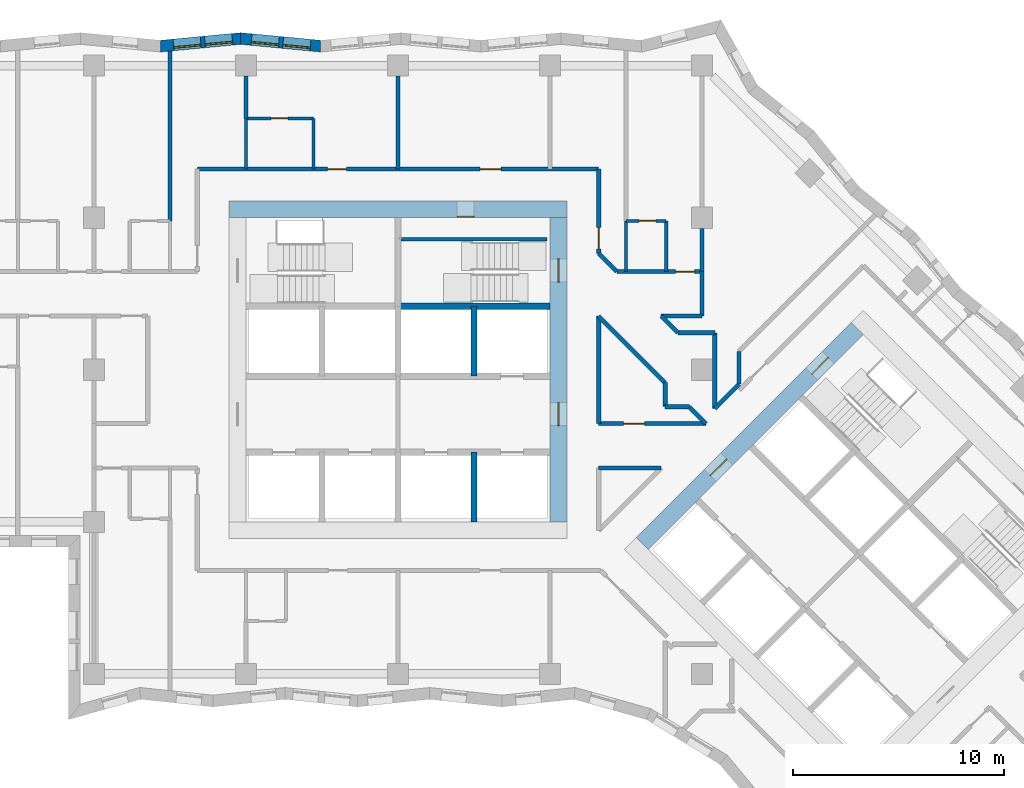
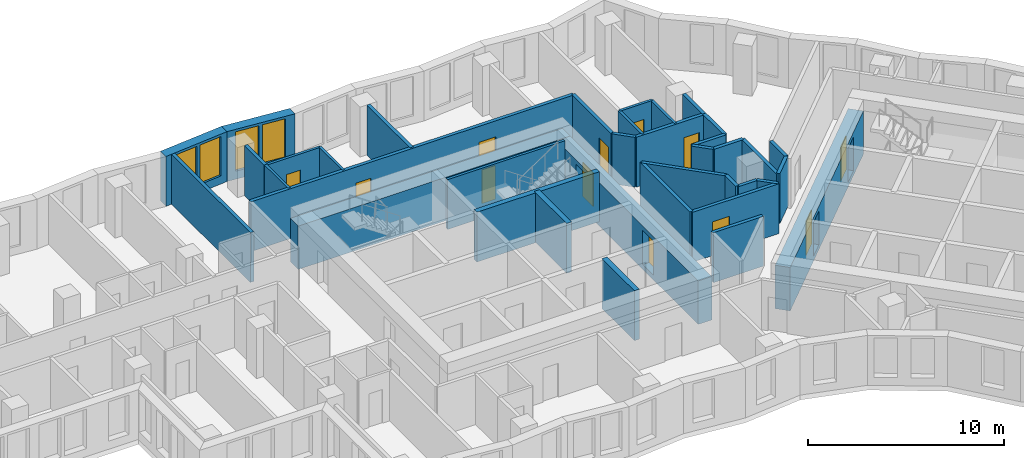
# One storey, part 6 of 12: 37 walls, 12 doors, 4 windows, 16 openings.
"""IFC4 building model written with IfcOpenShell, lengths in metres."""

from ifc_helpers import new_model, si_unit, direction, frame, frame_2d, origin, place, context, subcontext, project, spatial, polyline, rectangle, outline, extrude, material, layer, layer_set, type_object, element, fill, save


model = new_model("IFC4")

# Units and contexts
model_context = context("Model", 3, precision=1e-05, world=origin(), true_north=direction((0.0, 1.0)))
body_context = subcontext(model_context, "Body", "Model", "MODEL_VIEW")
ifc_project = project(units=[si_unit("LENGTHUNIT", "METRE"), si_unit("AREAUNIT", "SQUARE_METRE"), si_unit("VOLUMEUNIT", "CUBIC_METRE"), si_unit("PLANEANGLEUNIT", "RADIAN"), si_unit("MASSUNIT", "GRAM", prefix="KILO")], contexts=[model_context])

# Site, building, storey
site_placement = place(None, origin())
site = spatial("IfcSite", under=ifc_project, at=site_placement, CompositionType="ELEMENT")
building_placement = place(site_placement, origin())
building = spatial("IfcBuilding", under=site, at=building_placement, Name="Windrow Commons", CompositionType="ELEMENT")
storey_placement = place(building_placement, frame((0.0, 0.0, 88.0)))
storey = spatial("IfcBuildingStorey", under=building, at=storey_placement, Name="L23", CompositionType="ELEMENT", Elevation=88.0)

# Wall, openings, windows
ifc_material_1 = material(Name="Brick masonry, red clay brick", Category="masonry")
ifc_layer_1 = layer(ifc_material_1, 0.55)
ifc_layer_set_1 = layer_set([ifc_layer_1], Name="Brick facade wall 550")
wall_type_1 = type_object("IfcWallType", Name="Brick facade wall 550", PredefinedType="SOLIDWALL", material=ifc_layer_set_1)
wall_1_placement = place(storey_placement, frame((61.1401, 72.9238, 0.0), z_axis=(0.0, 0.0, 1.0), x_axis=(-0.9954966527, 0.0947967005, 0.0)))
wall_1 = element("IfcWall", 1, at=wall_1_placement, inside=storey, type_object=wall_type_1, Name="Brick facade wall L23 26", PredefinedType="SOLIDWALL", context=body_context, shape_type="SweptSolid", body=[
    extrude(outline(polyline([(0.0262, -0.275), (3.8343, -0.275), (3.782, 0.275), (-0.0262, 0.275), (0.0262, -0.275)])), origin(), (0.0, 0.0, 1.0), 3.1),
])
opening_1_placement = place(wall_1_placement, frame((0.491, 0.0, 0.5)))
opening_1 = element("IfcOpeningElement", 2, at=opening_1_placement, cuts=wall_1, Name="Opening W1P", PredefinedType="OPENING", context=body_context, shape_type="SweptSolid", body=[
    extrude(rectangle(XDim=1.3, YDim=2.45, at=frame_2d((0.65, 1.225))), frame((0.0, 0.285, 0.0), z_axis=(0.0, -1.0, 0.0), x_axis=(1.0, 0.0, 0.0)), (0.0, 0.0, 1.0), 0.57),
])
opening_2_placement = place(wall_1_placement, frame((1.991, 0.0, 0.5)))
opening_2 = element("IfcOpeningElement", 3, at=opening_2_placement, cuts=wall_1, Name="Opening W1P", PredefinedType="OPENING", context=body_context, shape_type="SweptSolid", body=[
    extrude(rectangle(XDim=1.3, YDim=2.45, at=frame_2d((0.65, 1.225))), frame((0.0, 0.285, 0.0), z_axis=(0.0, -1.0, 0.0), x_axis=(1.0, 0.0, 0.0)), (0.0, 0.0, 1.0), 0.57),
])
ifc_material_2 = material(Name="Clear float glass in anodised aluminium frame", Category="aluminium")
window_type = type_object("IfcWindowType", Name="Window W1P pair 1300x2450", PartitioningType="SINGLE_PANEL", PredefinedType="WINDOW", material=ifc_material_2)
window_1_placement = place(opening_1_placement, origin())
window_1 = element("IfcWindow", 4, at=window_1_placement, inside=storey, type_object=window_type, Name="Window L23 26.1A", OverallHeight=2.45, OverallWidth=1.3, PartitioningType="SINGLE_PANEL", PredefinedType="WINDOW", context=body_context, shape_type="SweptSolid", body=[
    extrude(rectangle(XDim=1.3, YDim=2.45, at=frame_2d((0.65, 1.225))), frame((0.0, 0.155, 0.0), z_axis=(0.0, -1.0, 0.0), x_axis=(1.0, 0.0, 0.0)), (0.0, 0.0, 1.0), 0.06),
])
fill(opening_1, window_1)
window_2_placement = place(opening_2_placement, origin())
window_2 = element("IfcWindow", 5, at=window_2_placement, inside=storey, type_object=window_type, Name="Window L23 26.1B", OverallHeight=2.45, OverallWidth=1.3, PartitioningType="SINGLE_PANEL", PredefinedType="WINDOW", context=body_context, shape_type="SweptSolid", body=[
    extrude(rectangle(XDim=1.3, YDim=2.45, at=frame_2d((0.65, 1.225))), frame((0.0, 0.155, 0.0), z_axis=(0.0, -1.0, 0.0), x_axis=(1.0, 0.0, 0.0)), (0.0, 0.0, 1.0), 0.06),
])
fill(opening_2, window_2)

wall_2_placement = place(storey_placement, frame((57.3491, 73.2848, 0.0), z_axis=(0.0, 0.0, 1.0), x_axis=(-0.9954966527, -0.0947967005, 0.0)))
wall_2 = element("IfcWall", 6, at=wall_2_placement, inside=storey, type_object=wall_type_1, Name="Brick facade wall L23 27", PredefinedType="SOLIDWALL", context=body_context, shape_type="SweptSolid", body=[
    extrude(outline(polyline([(-0.0262, -0.275), (3.782, -0.275), (3.8343, 0.275), (0.0262, 0.275), (-0.0262, -0.275)])), origin(), (0.0, 0.0, 1.0), 3.1),
])
opening_3_placement = place(wall_2_placement, frame((0.3952, 0.0, 0.5)))
opening_3 = element("IfcOpeningElement", 7, at=opening_3_placement, cuts=wall_2, Name="Opening W1P", PredefinedType="OPENING", context=body_context, shape_type="SweptSolid", body=[
    extrude(rectangle(XDim=1.3, YDim=2.45, at=frame_2d((0.65, 1.225))), frame((0.0, 0.285, 0.0), z_axis=(0.0, -1.0, 0.0), x_axis=(1.0, 0.0, 0.0)), (0.0, 0.0, 1.0), 0.57),
])
opening_4_placement = place(wall_2_placement, frame((1.8952, 0.0, 0.5)))
opening_4 = element("IfcOpeningElement", 8, at=opening_4_placement, cuts=wall_2, Name="Opening W1P", PredefinedType="OPENING", context=body_context, shape_type="SweptSolid", body=[
    extrude(rectangle(XDim=1.3, YDim=2.45, at=frame_2d((0.65, 1.225))), frame((0.0, 0.285, 0.0), z_axis=(0.0, -1.0, 0.0), x_axis=(1.0, 0.0, 0.0)), (0.0, 0.0, 1.0), 0.57),
])
window_3_placement = place(opening_3_placement, origin())
window_3 = element("IfcWindow", 9, at=window_3_placement, inside=storey, type_object=window_type, Name="Window L23 27.1A", OverallHeight=2.45, OverallWidth=1.3, PartitioningType="SINGLE_PANEL", PredefinedType="WINDOW", context=body_context, shape_type="SweptSolid", body=[
    extrude(rectangle(XDim=1.3, YDim=2.45, at=frame_2d((0.65, 1.225))), frame((0.0, 0.155, 0.0), z_axis=(0.0, -1.0, 0.0), x_axis=(1.0, 0.0, 0.0)), (0.0, 0.0, 1.0), 0.06),
])
fill(opening_3, window_3)
window_4_placement = place(opening_4_placement, origin())
window_4 = element("IfcWindow", 10, at=window_4_placement, inside=storey, type_object=window_type, Name="Window L23 27.1B", OverallHeight=2.45, OverallWidth=1.3, PartitioningType="SINGLE_PANEL", PredefinedType="WINDOW", context=body_context, shape_type="SweptSolid", body=[
    extrude(rectangle(XDim=1.3, YDim=2.45, at=frame_2d((0.65, 1.225))), frame((0.0, 0.155, 0.0), z_axis=(0.0, -1.0, 0.0), x_axis=(1.0, 0.0, 0.0)), (0.0, 0.0, 1.0), 0.06),
])
fill(opening_4, window_4)

# Wall, openings, doors
ifc_material_3 = material(Name="Blockwork partition", Category="masonry")
ifc_layer_2 = layer(ifc_material_3, 0.2)
ifc_layer_set_2 = layer_set([ifc_layer_2], Name="IW-CORRIDOR-200")
wall_type_2 = type_object("IfcWallType", Name="IW-CORRIDOR-200", PredefinedType="PARTITIONING", material=ifc_layer_set_2)
wall_3_placement = place(storey_placement, frame((55.3, 67.1, 0.0), z_axis=(0.0, 0.0, 1.0), x_axis=(1.0, 0.0, 0.0)))
wall_3 = element("IfcWall", 11, at=wall_3_placement, inside=storey, type_object=wall_type_2, Name="W-L23-W003", PredefinedType="PARTITIONING", context=body_context, shape_type="SweptSolid", body=[
    extrude(rectangle(XDim=19.0, YDim=0.2, at=frame_2d((9.5, 0.0))), origin(), (0.0, 0.0, 1.0), 3.1),
])
opening_5_placement = place(wall_3_placement, frame((6.1607, 0.0, 0.0)))
opening_5 = element("IfcOpeningElement", 12, at=opening_5_placement, cuts=wall_3, Name="Opening D109F", PredefinedType="OPENING", context=body_context, shape_type="SweptSolid", body=[
    extrude(rectangle(XDim=0.9, YDim=2.1, at=frame_2d((0.45, 1.05))), frame((0.0, 0.11, 0.0), z_axis=(0.0, -1.0, 0.0), x_axis=(1.0, 0.0, 0.0)), (0.0, 0.0, 1.0), 0.22),
])
opening_6_placement = place(wall_3_placement, frame((13.3862, 0.0, 0.0)))
opening_6 = element("IfcOpeningElement", 13, at=opening_6_placement, cuts=wall_3, Name="Opening D310F", PredefinedType="OPENING", context=body_context, shape_type="SweptSolid", body=[
    extrude(rectangle(XDim=1.0, YDim=2.1, at=frame_2d((0.5, 1.05))), frame((0.0, 0.11, 0.0), z_axis=(0.0, -1.0, 0.0), x_axis=(1.0, 0.0, 0.0)), (0.0, 0.0, 1.0), 0.22),
])
ifc_material_4 = material(Name="Timber door leaf", Category="wood")
door_type_1 = type_object("IfcDoorType", Name="DT-AMENITY-1000", OperationType="SINGLE_SWING_LEFT", PredefinedType="DOOR", material=ifc_material_4)
door_1_placement = place(opening_6_placement, origin())
door_1 = element("IfcDoor", 14, at=door_1_placement, inside=storey, type_object=door_type_1, Name="D-L23-D008", OperationType="SINGLE_SWING_RIGHT", OverallHeight=2.1, OverallWidth=1.0, PredefinedType="DOOR", context=body_context, shape_type="SweptSolid", body=[
    extrude(rectangle(XDim=1.0, YDim=2.1, at=frame_2d((0.5, 1.05))), frame((0.0, 0.025, 0.0), z_axis=(0.0, -1.0, 0.0), x_axis=(1.0, 0.0, 0.0)), (0.0, 0.0, 1.0), 0.05),
])
fill(opening_6, door_1)
ifc_material_5 = material(Name="Timber door leaf", Category="wood")
door_type_2 = type_object("IfcDoorType", Name="DT-BEDROOM-900", OperationType="SINGLE_SWING_LEFT", PredefinedType="DOOR", material=ifc_material_5)
door_2_placement = place(opening_5_placement, origin())
door_2 = element("IfcDoor", 15, at=door_2_placement, inside=storey, type_object=door_type_2, Name="D-L23-D006", OperationType="SINGLE_SWING_RIGHT", OverallHeight=2.1, OverallWidth=0.9, PredefinedType="DOOR", context=body_context, shape_type="SweptSolid", body=[
    extrude(rectangle(XDim=0.9, YDim=2.1, at=frame_2d((0.45, 1.05))), frame((0.0, 0.025, 0.0), z_axis=(0.0, -1.0, 0.0), x_axis=(1.0, 0.0, 0.0)), (0.0, 0.0, 1.0), 0.05),
])
fill(opening_5, door_2)

# Wall
wall_4_placement = place(storey_placement, frame((74.3, 55.05, 0.0), z_axis=(0.0, 0.0, 1.0), x_axis=(0.0, 1.0, 0.0)))
element("IfcWall", 16, at=wall_4_placement, inside=storey, type_object=wall_type_2, Name="W-L23-W037", PredefinedType="PARTITIONING", context=body_context, shape_type="SweptSolid", body=[
    extrude(rectangle(XDim=5.09, YDim=0.2, at=frame_2d((2.545, 0.0))), origin(), (0.0, 0.0, 1.0), 3.1),
])

# Wall, opening, door
wall_5_placement = place(storey_placement, frame((74.302, 55.05, 0.0), z_axis=(0.0, 0.0, 1.0), x_axis=(1.0, 0.0, 0.0)))
wall_5 = element("IfcWall", 17, at=wall_5_placement, inside=storey, type_object=wall_type_2, Name="W-L23-W038", PredefinedType="PARTITIONING", context=body_context, shape_type="SweptSolid", body=[
    extrude(rectangle(XDim=5.088, YDim=0.2, at=frame_2d((2.544, 0.0))), origin(), (0.0, 0.0, 1.0), 3.1),
])
opening_7_placement = place(wall_5_placement, frame((1.1759, 0.0, 0.0)))
opening_7 = element("IfcOpeningElement", 18, at=opening_7_placement, cuts=wall_5, Name="Opening D310F", PredefinedType="OPENING", context=body_context, shape_type="SweptSolid", body=[
    extrude(rectangle(XDim=1.0, YDim=2.1, at=frame_2d((0.5, 1.05))), frame((0.0, 0.11, 0.0), z_axis=(0.0, -1.0, 0.0), x_axis=(1.0, 0.0, 0.0)), (0.0, 0.0, 1.0), 0.22),
])
door_3_placement = place(opening_7_placement, origin())
door_3 = element("IfcDoor", 19, at=door_3_placement, inside=storey, type_object=door_type_1, Name="D-L23-D030", OperationType="SINGLE_SWING_LEFT", OverallHeight=2.1, OverallWidth=1.0, PredefinedType="DOOR", context=body_context, shape_type="SweptSolid", body=[
    extrude(rectangle(XDim=1.0, YDim=2.1, at=frame_2d((0.5, 1.05))), frame((0.0, 0.025, 0.0), z_axis=(0.0, -1.0, 0.0), x_axis=(1.0, 0.0, 0.0)), (0.0, 0.0, 1.0), 0.05),
])
fill(opening_7, door_3)

# Wall
wall_6_placement = place(storey_placement, frame((74.2986, 60.1366, 0.0), z_axis=(0.0, 0.0, 1.0), x_axis=(0.7071067812, -0.7071067812, 0.0)))
element("IfcWall", 20, at=wall_6_placement, inside=storey, type_object=wall_type_2, Name="W-L23-W044", PredefinedType="PARTITIONING", context=body_context, shape_type="SweptSolid", body=[
    extrude(rectangle(XDim=4.4519, YDim=0.2, at=frame_2d((2.226, 0.0))), origin(), (0.0, 0.0, 1.0), 3.1),
])

# Wall, opening, door
wall_7_placement = place(storey_placement, frame((75.162, 62.25, 0.0), z_axis=(0.0, 0.0, 1.0), x_axis=(1.0, 0.0, 0.0)))
wall_7 = element("IfcWall", 21, at=wall_7_placement, inside=storey, type_object=wall_type_2, Name="W-L23-W053", PredefinedType="PARTITIONING", context=body_context, shape_type="SweptSolid", body=[
    extrude(rectangle(XDim=4.038, YDim=0.2, at=frame_2d((2.019, 0.0))), origin(), (0.0, 0.0, 1.0), 3.1),
])
opening_8_placement = place(wall_7_placement, frame((2.788, 0.0, 0.0)))
opening_8 = element("IfcOpeningElement", 22, at=opening_8_placement, cuts=wall_7, Name="Opening D109S", PredefinedType="OPENING", context=body_context, shape_type="SweptSolid", body=[
    extrude(rectangle(XDim=0.9, YDim=2.1, at=frame_2d((0.45, 1.05))), frame((0.0, 0.11, 0.0), z_axis=(0.0, -1.0, 0.0), x_axis=(1.0, 0.0, 0.0)), (0.0, 0.0, 1.0), 0.22),
])
door_4_placement = place(opening_8_placement, origin())
door_4 = element("IfcDoor", 23, at=door_4_placement, inside=storey, type_object=door_type_2, Name="D-L23-D023", OperationType="SINGLE_SWING_LEFT", OverallHeight=2.1, OverallWidth=0.9, PredefinedType="DOOR", context=body_context, shape_type="SweptSolid", body=[
    extrude(rectangle(XDim=0.9, YDim=2.1, at=frame_2d((0.45, 1.05))), frame((0.0, 0.025, 0.0), z_axis=(0.0, -1.0, 0.0), x_axis=(1.0, 0.0, 0.0)), (0.0, 0.0, 1.0), 0.05),
])
fill(opening_8, door_4)

wall_8_placement = place(storey_placement, frame((74.3, 63.112, 0.0), z_axis=(0.0, 0.0, 1.0), x_axis=(0.0, 1.0, 0.0)))
wall_8 = element("IfcWall", 24, at=wall_8_placement, inside=storey, type_object=wall_type_2, Name="W-L23-W054", PredefinedType="PARTITIONING", context=body_context, shape_type="SweptSolid", body=[
    extrude(rectangle(XDim=3.988, YDim=0.2, at=frame_2d((1.994, 0.0))), origin(), (0.0, 0.0, 1.0), 3.1),
])
opening_9_placement = place(wall_8_placement, frame((0.2174, 0.0, 0.0)))
opening_9 = element("IfcOpeningElement", 25, at=opening_9_placement, cuts=wall_8, Name="Opening D310F", PredefinedType="OPENING", context=body_context, shape_type="SweptSolid", body=[
    extrude(rectangle(XDim=1.0, YDim=2.1, at=frame_2d((0.5, 1.05))), frame((0.0, 0.11, 0.0), z_axis=(0.0, -1.0, 0.0), x_axis=(1.0, 0.0, 0.0)), (0.0, 0.0, 1.0), 0.22),
])
door_5_placement = place(opening_9_placement, origin())
door_5 = element("IfcDoor", 26, at=door_5_placement, inside=storey, type_object=door_type_1, Name="D-L23-D022", OperationType="SINGLE_SWING_RIGHT", OverallHeight=2.1, OverallWidth=1.0, PredefinedType="DOOR", context=body_context, shape_type="SweptSolid", body=[
    extrude(rectangle(XDim=1.0, YDim=2.1, at=frame_2d((0.5, 1.05))), frame((0.0, 0.025, 0.0), z_axis=(0.0, -1.0, 0.0), x_axis=(1.0, 0.0, 0.0)), (0.0, 0.0, 1.0), 0.05),
])
fill(opening_9, door_5)

# Walls
wall_9_placement = place(storey_placement, frame((79.8, 55.774, 0.0), z_axis=(0.0, 0.0, 1.0), x_axis=(0.0, 1.0, 0.0)))
element("IfcWall", 27, at=wall_9_placement, inside=storey, type_object=wall_type_2, Name="W-L23-W059", PredefinedType="PARTITIONING", context=body_context, shape_type="SweptSolid", body=[
    extrude(rectangle(XDim=3.576, YDim=0.2, at=frame_2d((1.788, 0.0))), origin(), (0.0, 0.0, 1.0), 3.1),
])
wall_10_placement = place(storey_placement, frame((74.302, 52.95, 0.0), z_axis=(0.0, 0.0, 1.0), x_axis=(1.0, 0.0, 0.0)))
element("IfcWall", 28, at=wall_10_placement, inside=storey, type_object=wall_type_2, Name="W-L23-W065", PredefinedType="PARTITIONING", context=body_context, shape_type="SweptSolid", body=[
    extrude(rectangle(XDim=2.958, YDim=0.2, at=frame_2d((1.479, 0.0))), origin(), (0.0, 0.0, 1.0), 3.1),
])
wall_11_placement = place(storey_placement, frame((79.2, 60.15, 0.0), z_axis=(0.0, 0.0, 1.0), x_axis=(0.0, 1.0, 0.0)))
element("IfcWall", 29, at=wall_11_placement, inside=storey, type_object=wall_type_2, Name="W-L23-W103", PredefinedType="PARTITIONING", context=body_context, shape_type="SweptSolid", body=[
    extrude(rectangle(XDim=2.1, YDim=0.2, at=frame_2d((1.05, 0.0))), origin(), (0.0, 0.0, 1.0), 3.1),
])
wall_12_placement = place(storey_placement, frame((77.264, 60.15, 0.0), z_axis=(0.0, 0.0, 1.0), x_axis=(1.0, 0.0, 0.0)))
element("IfcWall", 30, at=wall_12_placement, inside=storey, type_object=wall_type_2, Name="W-L23-W122", PredefinedType="PARTITIONING", context=body_context, shape_type="SweptSolid", body=[
    extrude(rectangle(XDim=1.936, YDim=0.2, at=frame_2d((0.968, 0.0))), origin(), (0.0, 0.0, 1.0), 3.1),
])
wall_13_placement = place(storey_placement, frame((78.062, 59.35, 0.0), z_axis=(0.0, 0.0, 1.0), x_axis=(1.0, 0.0, 0.0)))
element("IfcWall", 31, at=wall_13_placement, inside=storey, type_object=wall_type_2, Name="W-L23-W139", PredefinedType="PARTITIONING", context=body_context, shape_type="SweptSolid", body=[
    extrude(rectangle(XDim=1.738, YDim=0.2, at=frame_2d((0.869, 0.0))), origin(), (0.0, 0.0, 1.0), 3.1),
])
wall_14_placement = place(storey_placement, frame((79.8007, 55.7733, 0.0), z_axis=(0.0, 0.0, 1.0), x_axis=(0.7071067812, 0.7071067812, 0.0)))
element("IfcWall", 32, at=wall_14_placement, inside=storey, type_object=wall_type_2, Name="W-L23-W142", PredefinedType="PARTITIONING", context=body_context, shape_type="SweptSolid", body=[
    extrude(rectangle(XDim=1.6235, YDim=0.2, at=frame_2d((0.8117, 0.0))), origin(), (0.0, 0.0, 1.0), 3.1),
])
wall_15_placement = place(storey_placement, frame((74.2965, 63.1085, 0.0), z_axis=(0.0, 0.0, 1.0), x_axis=(0.7071067812, -0.7071067812, 0.0)))
element("IfcWall", 33, at=wall_15_placement, inside=storey, type_object=wall_type_2, Name="W-L23-W148", PredefinedType="PARTITIONING", context=body_context, shape_type="SweptSolid", body=[
    extrude(rectangle(XDim=1.2191, YDim=0.2, at=frame_2d((0.6096, 0.0))), origin(), (0.0, 0.0, 1.0), 3.1),
])
for number, where, z_axis, x_axis, name in (
    (34, (77.452, 55.85, 0.0), (0.0, 0.0, 1.0), (1.0, 0.0, 0.0), "W-L23-W150"),
    (35, (77.45, 55.852, 0.0), (0.0, 0.0, 1.0), (0.0, 1.0, 0.0), "W-L23-W151"),
):
    element("IfcWall", number, at=place(storey_placement, frame(where, z_axis=z_axis, x_axis=x_axis)), inside=storey, type_object=wall_type_2, Name=name, PredefinedType="PARTITIONING", context=body_context, shape_type="SweptSolid", body=[
        extrude(rectangle(XDim=1.14, YDim=0.2, at=frame_2d((0.57, 0.0))), origin(), (0.0, 0.0, 1.0), 3.1),
    ])
for number, where, z_axis, x_axis, name in (
    (36, (77.2605, 60.1445, 0.0), (0.0, 0.0, 1.0), (0.7071067812, -0.7071067812, 0.0), "W-L23-W152"),
    (37, (78.5886, 55.8466, 0.0), (0.0, 0.0, 1.0), (0.7071067812, -0.7071067812, 0.0), "W-L23-W153"),
):
    element("IfcWall", number, at=place(storey_placement, frame(where, z_axis=z_axis, x_axis=x_axis)), inside=storey, type_object=wall_type_2, Name=name, PredefinedType="PARTITIONING", context=body_context, shape_type="SweptSolid", body=[
        extrude(rectangle(XDim=1.1285, YDim=0.2, at=frame_2d((0.5643, 0.0))), origin(), (0.0, 0.0, 1.0), 3.1),
    ])

# Wall, opening, door
ifc_material_6 = material(Name="Blockwork partition", Category="masonry")
ifc_layer_3 = layer(ifc_material_6, 0.15)
ifc_layer_set_3 = layer_set([ifc_layer_3], Name="IW-ENSUITE-150")
wall_type_3 = type_object("IfcWallType", Name="IW-ENSUITE-150", PredefinedType="PARTITIONING", material=ifc_layer_set_3)
wall_16_placement = place(storey_placement, frame((57.6, 69.5, 0.0), z_axis=(0.0, 0.0, 1.0), x_axis=(1.0, 0.0, 0.0)))
wall_16 = element("IfcWall", 38, at=wall_16_placement, inside=storey, type_object=wall_type_3, Name="W-L23-W061", PredefinedType="PARTITIONING", context=body_context, shape_type="SweptSolid", body=[
    extrude(rectangle(XDim=3.2, YDim=0.15, at=frame_2d((1.6, 0.0))), origin(), (0.0, 0.0, 1.0), 3.1),
])
opening_10_placement = place(wall_16_placement, frame((1.1958, 0.0, 0.0)))
opening_10 = element("IfcOpeningElement", 39, at=opening_10_placement, cuts=wall_16, Name="Opening D208N", PredefinedType="OPENING", context=body_context, shape_type="SweptSolid", body=[
    extrude(rectangle(XDim=0.8, YDim=2.1, at=frame_2d((0.4, 1.05))), frame((0.0, 0.085, 0.0), z_axis=(0.0, -1.0, 0.0), x_axis=(1.0, 0.0, 0.0)), (0.0, 0.0, 1.0), 0.17),
])
ifc_material_7 = material(Name="Timber door leaf", Category="wood")
door_type_3 = type_object("IfcDoorType", Name="DT-ENSUITE-800", OperationType="SINGLE_SWING_LEFT", PredefinedType="DOOR", material=ifc_material_7)
door_6_placement = place(opening_10_placement, origin())
door_6 = element("IfcDoor", 40, at=door_6_placement, inside=storey, type_object=door_type_3, Name="D-L23-D007", OperationType="SINGLE_SWING_RIGHT", OverallHeight=2.1, OverallWidth=0.8, PredefinedType="DOOR", context=body_context, shape_type="SweptSolid", body=[
    extrude(rectangle(XDim=0.8, YDim=2.1, at=frame_2d((0.4, 1.05))), frame((0.0, 0.025, 0.0), z_axis=(0.0, -1.0, 0.0), x_axis=(1.0, 0.0, 0.0)), (0.0, 0.0, 1.0), 0.05),
])
fill(opening_10, door_6)

# Walls
for number, where, z_axis, x_axis, name in (
    (41, (57.6, 67.1, 0.0), (0.0, 0.0, 1.0), (0.0, 1.0, 0.0), "W-L23-W083"),
    (42, (60.8, 67.1, 0.0), (0.0, 0.0, 1.0), (0.0, 1.0, 0.0), "W-L23-W084"),
    (43, (75.6, 62.25, 0.0), (0.0, 0.0, 1.0), (0.0, 1.0, 0.0), "W-L23-W085"),
    (44, (77.5, 62.25, 0.0), (0.0, 0.0, 1.0), (0.0, 1.0, 0.0), "W-L23-W086"),
):
    element("IfcWall", number, at=place(storey_placement, frame(where, z_axis=z_axis, x_axis=x_axis)), inside=storey, type_object=wall_type_3, Name=name, PredefinedType="PARTITIONING", context=body_context, shape_type="SweptSolid", body=[
        extrude(rectangle(XDim=2.4, YDim=0.15, at=frame_2d((1.2, 0.0))), origin(), (0.0, 0.0, 1.0), 3.1),
    ])

# Wall, opening, door
wall_17_placement = place(storey_placement, frame((75.6, 64.65, 0.0), z_axis=(0.0, 0.0, 1.0), x_axis=(1.0, 0.0, 0.0)))
wall_17 = element("IfcWall", 45, at=wall_17_placement, inside=storey, type_object=wall_type_3, Name="W-L23-W125", PredefinedType="PARTITIONING", context=body_context, shape_type="SweptSolid", body=[
    extrude(rectangle(XDim=1.9, YDim=0.15, at=frame_2d((0.95, 0.0))), origin(), (0.0, 0.0, 1.0), 3.1),
])
opening_11_placement = place(wall_17_placement, frame((0.6069, 0.0, 0.0)))
opening_11 = element("IfcOpeningElement", 46, at=opening_11_placement, cuts=wall_17, Name="Opening D208N", PredefinedType="OPENING", context=body_context, shape_type="SweptSolid", body=[
    extrude(rectangle(XDim=0.8, YDim=2.1, at=frame_2d((0.4, 1.05))), frame((0.0, 0.085, 0.0), z_axis=(0.0, -1.0, 0.0), x_axis=(1.0, 0.0, 0.0)), (0.0, 0.0, 1.0), 0.17),
])
door_7_placement = place(opening_11_placement, origin())
door_7 = element("IfcDoor", 47, at=door_7_placement, inside=storey, type_object=door_type_3, Name="D-L23-D024", OperationType="SINGLE_SWING_RIGHT", OverallHeight=2.1, OverallWidth=0.8, PredefinedType="DOOR", context=body_context, shape_type="SweptSolid", body=[
    extrude(rectangle(XDim=0.8, YDim=2.1, at=frame_2d((0.4, 1.05))), frame((0.0, 0.025, 0.0), z_axis=(0.0, -1.0, 0.0), x_axis=(1.0, 0.0, 0.0)), (0.0, 0.0, 1.0), 0.05),
])
fill(opening_11, door_7)

# Walls
ifc_material_8 = material(Name="Blockwork partition", Category="masonry")
ifc_layer_4 = layer(ifc_material_8, 0.2)
ifc_layer_set_4 = layer_set([ifc_layer_4], Name="IW-PARTY-200")
wall_type_4 = type_object("IfcWallType", Name="IW-PARTY-200", PredefinedType="PARTITIONING", material=ifc_layer_set_4)
wall_18_placement = place(storey_placement, frame((54.0, 64.65, 0.0), z_axis=(0.0, 0.0, 1.0), x_axis=(0.0, 1.0, 0.0)))
element("IfcWall", 48, at=wall_18_placement, inside=storey, type_object=wall_type_4, Name="W-L23-W019", PredefinedType="PARTITIONING", context=body_context, shape_type="SweptSolid", body=[
    extrude(rectangle(XDim=8.0396, YDim=0.2, at=frame_2d((4.0198, 0.0))), origin(), (0.0, 0.0, 1.0), 3.1),
])
wall_19_placement = place(storey_placement, frame((64.8, 67.1, 0.0), z_axis=(0.0, 0.0, 1.0), x_axis=(0.0, 1.0, 0.0)))
element("IfcWall", 49, at=wall_19_placement, inside=storey, type_object=wall_type_4, Name="W-L23-W045", PredefinedType="PARTITIONING", context=body_context, shape_type="SweptSolid", body=[
    extrude(rectangle(XDim=4.4, YDim=0.2, at=frame_2d((2.2, 0.0))), origin(), (0.0, 0.0, 1.0), 3.1),
])
wall_20_placement = place(storey_placement, frame((79.2, 62.25, 0.0), z_axis=(0.0, 0.0, 1.0), x_axis=(0.0, 1.0, 0.0)))
element("IfcWall", 50, at=wall_20_placement, inside=storey, type_object=wall_type_4, Name="W-L23-W116", PredefinedType="PARTITIONING", context=body_context, shape_type="SweptSolid", body=[
    extrude(rectangle(XDim=2.05, YDim=0.2, at=frame_2d((1.025, 0.0))), origin(), (0.0, 0.0, 1.0), 3.1),
])
wall_21_placement = place(storey_placement, frame((57.6, 69.5, 0.0), z_axis=(0.0, 0.0, 1.0), x_axis=(0.0, 1.0, 0.0)))
element("IfcWall", 51, at=wall_21_placement, inside=storey, type_object=wall_type_4, Name="W-L23-W120", PredefinedType="PARTITIONING", context=body_context, shape_type="SweptSolid", body=[
    extrude(rectangle(XDim=2.0, YDim=0.2, at=frame_2d((1.0, 0.0))), origin(), (0.0, 0.0, 1.0), 3.1),
])
wall_22_placement = place(storey_placement, frame((80.95, 56.92, 0.0), z_axis=(0.0, 0.0, 1.0), x_axis=(0.0, 1.0, 0.0)))
element("IfcWall", 52, at=wall_22_placement, inside=storey, type_object=wall_type_4, Name="W-L23-W144", PredefinedType="PARTITIONING", context=body_context, shape_type="SweptSolid", body=[
    extrude(rectangle(XDim=1.556, YDim=0.2, at=frame_2d((0.778, 0.0))), origin(), (0.0, 0.0, 1.0), 3.1),
])

# Wall, opening, door
ifc_material_9 = material(Name="Concrete C50/60", Category="concrete")
ifc_layer_5 = layer(ifc_material_9, 0.8)
ifc_layer_set_5 = layer_set([ifc_layer_5], Name="RC CORE WALL 800 C50/60")
wall_type_5 = type_object("IfcWallType", Name="RC CORE WALL 800 C50/60", PredefinedType="SHEAR", material=ifc_layer_set_5)
wall_23_placement = place(storey_placement, frame((56.8, 65.2, -0.3), z_axis=(0.0, 0.0, 1.0), x_axis=(1.0, 0.0, 0.0)))
wall_23 = element("IfcWall", 53, at=wall_23_placement, inside=storey, type_object=wall_type_5, Name="Core A wall outer-N", PredefinedType="SHEAR", context=body_context, shape_type="SweptSolid", body=[
    extrude(rectangle(XDim=16.0, YDim=0.8, at=frame_2d((8.0, 0.0))), origin(), (0.0, 0.0, 1.0), 2.7),
])
opening_12_placement = place(wall_23_placement, frame((10.8, 0.0, 0.3)))
opening_12 = element("IfcOpeningElement", 54, at=opening_12_placement, cuts=wall_23, Name="Opening D9", PredefinedType="OPENING", context=body_context, shape_type="SweptSolid", body=[
    extrude(rectangle(XDim=0.8, YDim=2.1, at=frame_2d((0.4, 1.05))), frame((0.0, 0.41, 0.0), z_axis=(0.0, -1.0, 0.0), x_axis=(1.0, 0.0, 0.0)), (0.0, 0.0, 1.0), 0.82),
])
ifc_material_10 = material(Name="Steel fire door leaf", Category="steel")
door_type_4 = type_object("IfcDoorType", Name="Riser access door 800", OperationType="SINGLE_SWING_LEFT", PredefinedType="DOOR", material=ifc_material_10)
door_8_placement = place(opening_12_placement, origin())
door_8 = element("IfcDoor", 55, at=door_8_placement, inside=storey, type_object=door_type_4, Name="Riser access door", OperationType="SINGLE_SWING_RIGHT", OverallHeight=2.1, OverallWidth=0.8, PredefinedType="DOOR", context=body_context, shape_type="SweptSolid", body=[
    extrude(rectangle(XDim=0.8, YDim=2.1, at=frame_2d((0.4, 1.05))), frame((0.0, -0.34, 0.0), z_axis=(0.0, -1.0, 0.0), x_axis=(1.0, 0.0, 0.0)), (0.0, 0.0, 1.0), 0.05),
])
fill(opening_12, door_8)

# Wall, openings, doors
wall_24_placement = place(storey_placement, frame((72.4, 50.4, -0.3), z_axis=(0.0, 0.0, 1.0), x_axis=(0.0, 1.0, 0.0)))
wall_24 = element("IfcWall", 56, at=wall_24_placement, inside=storey, type_object=wall_type_5, Name="Core A wall outer-E", PredefinedType="SHEAR", context=body_context, shape_type="SweptSolid", body=[
    extrude(rectangle(XDim=14.4, YDim=0.8, at=frame_2d((7.2, 0.0))), origin(), (0.0, 0.0, 1.0), 2.7),
])
opening_13_placement = place(wall_24_placement, frame((4.55, 0.0, 0.3)))
opening_13 = element("IfcOpeningElement", 57, at=opening_13_placement, cuts=wall_24, Name="Opening D6", PredefinedType="OPENING", context=body_context, shape_type="SweptSolid", body=[
    extrude(rectangle(XDim=1.1, YDim=2.1, at=frame_2d((0.55, 1.05))), frame((0.0, 0.41, 0.0), z_axis=(0.0, -1.0, 0.0), x_axis=(1.0, 0.0, 0.0)), (0.0, 0.0, 1.0), 0.82),
])
opening_14_placement = place(wall_24_placement, frame((11.35, 0.0, 0.3)))
opening_14 = element("IfcOpeningElement", 58, at=opening_14_placement, cuts=wall_24, Name="Opening D7", PredefinedType="OPENING", context=body_context, shape_type="SweptSolid", body=[
    extrude(rectangle(XDim=1.1, YDim=2.1, at=frame_2d((0.55, 1.05))), frame((0.0, 0.41, 0.0), z_axis=(0.0, -1.0, 0.0), x_axis=(1.0, 0.0, 0.0)), (0.0, 0.0, 1.0), 0.82),
])
ifc_material_11 = material(Name="Steel fire door leaf", Category="steel")
door_type_5 = type_object("IfcDoorType", Name="Core lobby door 1100", OperationType="SINGLE_SWING_LEFT", PredefinedType="DOOR", material=ifc_material_11)
door_9_placement = place(opening_13_placement, origin())
door_9 = element("IfcDoor", 59, at=door_9_placement, inside=storey, type_object=door_type_5, Name="Lift lobby door", OperationType="DOUBLE_DOOR_SINGLE_SWING", OverallHeight=2.1, OverallWidth=1.1, PredefinedType="DOOR", context=body_context, shape_type="SweptSolid", body=[
    extrude(rectangle(XDim=1.1, YDim=2.1, at=frame_2d((0.55, 1.05))), frame((0.0, 0.025, 0.0), z_axis=(0.0, -1.0, 0.0), x_axis=(1.0, 0.0, 0.0)), (0.0, 0.0, 1.0), 0.05),
])
fill(opening_13, door_9)
ifc_material_12 = material(Name="Steel fire door leaf", Category="steel")
door_type_6 = type_object("IfcDoorType", Name="Stair door 1100", OperationType="SINGLE_SWING_LEFT", PredefinedType="DOOR", material=ifc_material_12)
door_10_placement = place(opening_14_placement, origin())
door_10 = element("IfcDoor", 60, at=door_10_placement, inside=storey, type_object=door_type_6, Name="Stair door", OperationType="SINGLE_SWING_RIGHT", OverallHeight=2.1, OverallWidth=1.1, PredefinedType="DOOR", context=body_context, shape_type="SweptSolid", body=[
    extrude(rectangle(XDim=1.1, YDim=2.1, at=frame_2d((0.55, 1.05))), frame((0.0, 0.025, 0.0), z_axis=(0.0, -1.0, 0.0), x_axis=(1.0, 0.0, 0.0)), (0.0, 0.0, 1.0), 0.05),
])
fill(opening_14, door_10)

wall_25_placement = place(storey_placement, frame((76.3716, 49.3726, -0.3), z_axis=(0.0, 0.0, 1.0), x_axis=(0.7071067812, 0.7071067812, 0.0)))
wall_25 = element("IfcWall", 61, at=wall_25_placement, inside=storey, type_object=wall_type_5, Name="Core B wall outer-W", PredefinedType="SHEAR", context=body_context, shape_type="SweptSolid", body=[
    extrude(rectangle(XDim=14.3999, YDim=0.8, at=frame_2d((7.2, 0.0))), origin(), (0.0, 0.0, 1.0), 2.7),
])
opening_15_placement = place(wall_25_placement, frame((4.55, 0.0, 0.3)))
opening_15 = element("IfcOpeningElement", 62, at=opening_15_placement, cuts=wall_25, Name="Opening D6", PredefinedType="OPENING", context=body_context, shape_type="SweptSolid", body=[
    extrude(rectangle(XDim=1.1, YDim=2.1, at=frame_2d((0.55, 1.05))), frame((0.0, 0.41, 0.0), z_axis=(0.0, -1.0, 0.0), x_axis=(1.0, 0.0, 0.0)), (0.0, 0.0, 1.0), 0.82),
])
opening_16_placement = place(wall_25_placement, frame((11.35, 0.0, 0.3)))
opening_16 = element("IfcOpeningElement", 63, at=opening_16_placement, cuts=wall_25, Name="Opening D7", PredefinedType="OPENING", context=body_context, shape_type="SweptSolid", body=[
    extrude(rectangle(XDim=1.1, YDim=2.1, at=frame_2d((0.55, 1.05))), frame((0.0, 0.41, 0.0), z_axis=(0.0, -1.0, 0.0), x_axis=(1.0, 0.0, 0.0)), (0.0, 0.0, 1.0), 0.82),
])
door_11_placement = place(opening_15_placement, origin())
door_11 = element("IfcDoor", 64, at=door_11_placement, inside=storey, type_object=door_type_5, Name="Lift lobby door", OperationType="DOUBLE_DOOR_SINGLE_SWING", OverallHeight=2.1, OverallWidth=1.1, PredefinedType="DOOR", context=body_context, shape_type="SweptSolid", body=[
    extrude(rectangle(XDim=1.1, YDim=2.1, at=frame_2d((0.55, 1.05))), frame((0.0, 0.025, 0.0), z_axis=(0.0, -1.0, 0.0), x_axis=(1.0, 0.0, 0.0)), (0.0, 0.0, 1.0), 0.05),
])
fill(opening_15, door_11)
door_12_placement = place(opening_16_placement, origin())
door_12 = element("IfcDoor", 65, at=door_12_placement, inside=storey, type_object=door_type_6, Name="Stair door", OperationType="SINGLE_SWING_LEFT", OverallHeight=2.1, OverallWidth=1.1, PredefinedType="DOOR", context=body_context, shape_type="SweptSolid", body=[
    extrude(rectangle(XDim=1.1, YDim=2.1, at=frame_2d((0.55, 1.05))), frame((0.0, 0.025, 0.0), z_axis=(0.0, -1.0, 0.0), x_axis=(1.0, 0.0, 0.0)), (0.0, 0.0, 1.0), 0.05),
])
fill(opening_16, door_12)

# Walls
ifc_material_13 = material(Name="Concrete C50/60", Category="concrete")
ifc_layer_6 = layer(ifc_material_13, 0.3)
ifc_layer_set_6 = layer_set([ifc_layer_6], Name="RC SHAFT WALL 300 C50/60")
wall_type_6 = type_object("IfcWallType", Name="RC SHAFT WALL 300 C50/60", PredefinedType="SOLIDWALL", material=ifc_layer_set_6)
for number, where, z_axis, x_axis, name in (
    (66, (68.4, 50.4, 0.0), (0.0, 0.0, 1.0), (0.0, 1.0, 0.0), "Core A wall shaft-S3"),
    (67, (68.4, 57.3, 0.0), (0.0, 0.0, 1.0), (0.0, 1.0, 0.0), "Core A wall shaft-N3"),
):
    element("IfcWall", number, at=place(storey_placement, frame(where, z_axis=z_axis, x_axis=x_axis)), inside=storey, type_object=wall_type_6, Name=name, PredefinedType="SOLIDWALL", context=body_context, shape_type="SweptSolid", body=[
        extrude(rectangle(XDim=3.3, YDim=0.3, at=frame_2d((1.65, 0.0))), origin(), (0.0, 0.0, 1.0), 3.1),
    ])
wall_26_placement = place(storey_placement, frame((64.8, 60.6, 0.0), z_axis=(0.0, 0.0, 1.0), x_axis=(1.0, 0.0, 0.0)))
element("IfcWall", 68, at=wall_26_placement, inside=storey, type_object=wall_type_6, Name="Core A wall stair-S2", PredefinedType="SOLIDWALL", context=body_context, shape_type="SweptSolid", body=[
    extrude(rectangle(XDim=7.2, YDim=0.3, at=frame_2d((3.6, 0.0))), origin(), (0.0, 0.0, 1.0), 3.1),
])
ifc_material_14 = material(Name="Blockwork partition", Category="masonry")
ifc_layer_7 = layer(ifc_material_14, 0.15)
ifc_layer_set_7 = layer_set([ifc_layer_7], Name="Riser partition 150")
wall_type_7 = type_object("IfcWallType", Name="Riser partition 150", PredefinedType="PARTITIONING", material=ifc_layer_set_7)
wall_27_placement = place(storey_placement, frame((64.95, 63.78, 0.0), z_axis=(0.0, 0.0, 1.0), x_axis=(1.0, 0.0, 0.0)))
element("IfcWall", 69, at=wall_27_placement, inside=storey, type_object=wall_type_7, Name="W-core-strip-A-L23", PredefinedType="PARTITIONING", context=body_context, shape_type="SweptSolid", body=[
    extrude(rectangle(XDim=6.9, YDim=0.15, at=frame_2d((3.45, 0.0))), origin(), (0.0, 0.0, 1.0), 3.1),
])

save(model, "model.ifc")
